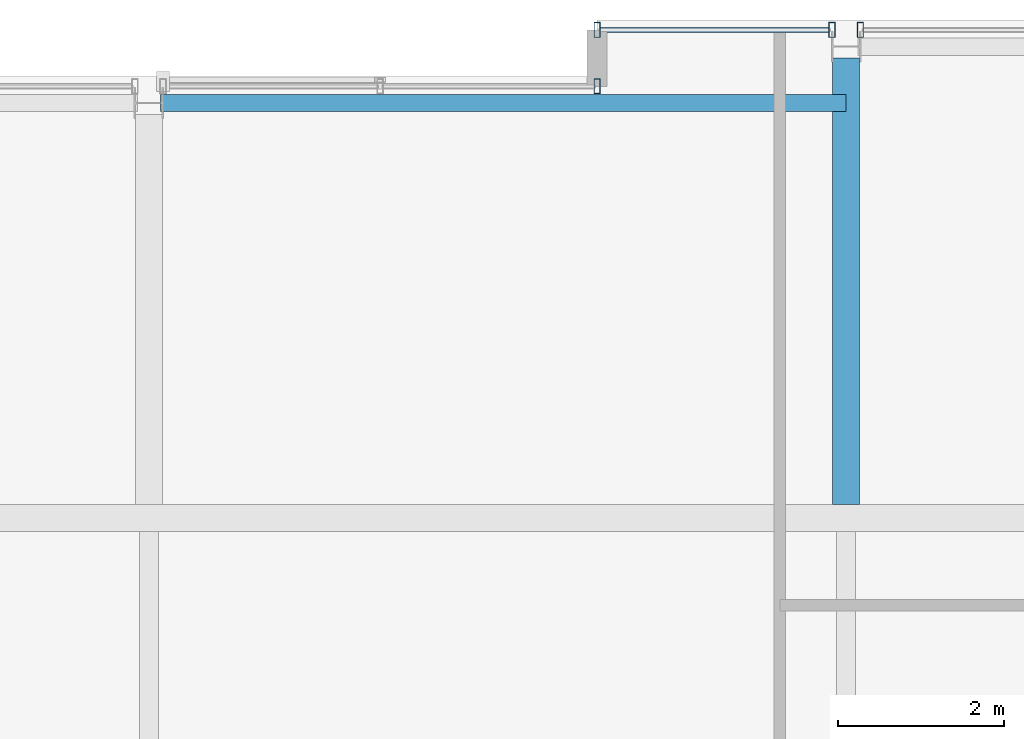
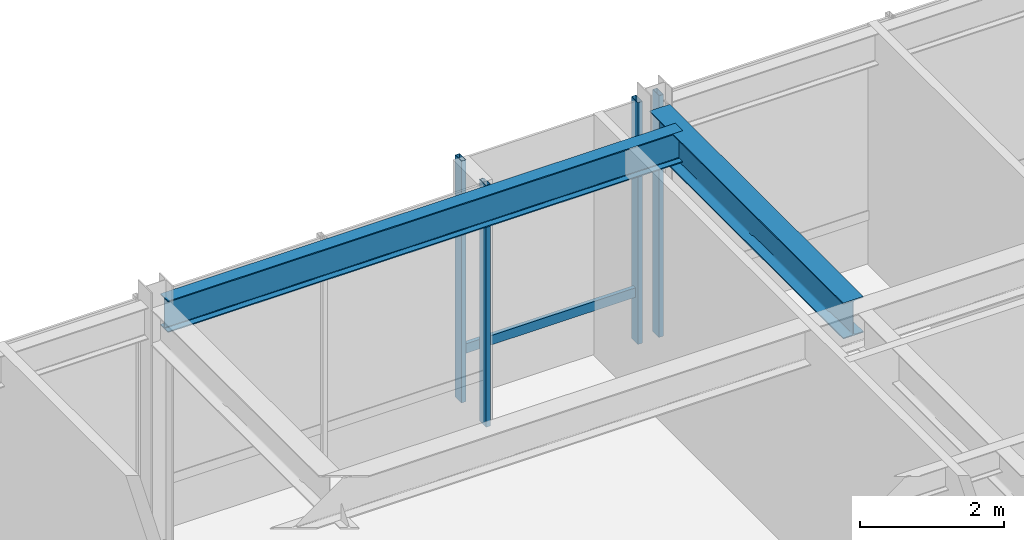
# One storey, part 25 of 34: 5 members, 2 beams, 3 elements without a shape of their own.
"""IFC4 building model written with IfcOpenShell, lengths in metres."""

from ifc_helpers import new_model, si_unit, direction, frame, origin, origin_2d, place, context, subcontext, project, spatial, hollow_rectangle, i_section, extrude, material, layer, layer_set, material_profile, profile_set, type_object, element, aggregate, save


model = new_model("IFC4")

# Units and contexts
model_context = context("Model", 3, precision=1e-05, world=origin(), true_north=direction((0.0, 1.0)))
body_context = subcontext(model_context, "Body", "Model", "MODEL_VIEW")
ifc_project = project(units=[si_unit("LENGTHUNIT", "METRE"), si_unit("AREAUNIT", "SQUARE_METRE"), si_unit("VOLUMEUNIT", "CUBIC_METRE"), si_unit("PLANEANGLEUNIT", "RADIAN"), si_unit("MASSUNIT", "GRAM", prefix="KILO")], contexts=[model_context])

# Site, building, storey
site_placement = place(None, origin())
site = spatial("IfcSite", under=ifc_project, at=site_placement, CompositionType="ELEMENT")
building_placement = place(site_placement, origin())
building = spatial("IfcBuilding", under=site, at=building_placement, Name="Drelvath Grand Hotel", CompositionType="ELEMENT")
storey_placement = place(building_placement, frame((0.0, 0.0, 294.199951171875)))
storey = spatial("IfcBuildingStorey", under=building, at=storey_placement, Name="L77", CompositionType="ELEMENT", Elevation=294.199951171875)

# Curtain wall, member
ifc_material_1 = material(Name="Platinum-Mist Anodised Aluminium Frame", Category="aluminium")
ifc_layer = layer(ifc_material_1, 0.199951171875)
ifc_layer_set = layer_set([ifc_layer], Name="Platinum-Mist Anodised Aluminium Frame")
curtain_wall_type = type_object("IfcCurtainWallType", Name="Stick Curtain Wall CW-05 Platinum Mist High-Rise", PredefinedType="NOTDEFINED", material=ifc_layer_set)
curtain_wall_1_placement = place(storey_placement, origin())
curtain_wall_1 = element("IfcCurtainWall", 1, at=curtain_wall_1_placement, inside=storey, type_object=curtain_wall_type, Name="L77 CW-05 Curtain Wall CW05-L77-NE1", PredefinedType="NOTDEFINED")
ifc_material_profile_1 = material_profile(ifc_material_1, hollow_rectangle(XDim=0.06494140625, YDim=0.159912109375, WallThickness=0.00390625, at=origin_2d()), Name="HSS160X65X4")
ifc_profile_set_1 = profile_set([ifc_material_profile_1], Name="Platinum-Mist Anodised Aluminium Frame")
member_type_1 = type_object("IfcMemberType", Name="Curtain Wall Horizontal Transom CW-05 HSS160X65X4", PredefinedType="USERDEFINED", material=ifc_profile_set_1)
member_1_placement = place(storey_placement, frame((5.43994140625, 49.080078125, 0.85009765625), z_axis=(1.0, 0.0, 0.0), x_axis=(0.0, 1.0, 0.0)))
member_1 = element("IfcMember", 2, at=member_1_placement, type_object=member_type_1, Name="CW05-L77-NE1 Sill Transom", ObjectType="TRANSOM", PredefinedType="USERDEFINED", context=body_context, shape_type="SweptSolid", body=[
    extrude(hollow_rectangle(XDim=0.06494140625, YDim=0.159912109375, WallThickness=0.00390625, at=origin_2d()), origin(), (0.0, 0.0, 1.0), 2.75),
])

curtain_wall_2_placement = place(storey_placement, origin())
curtain_wall_2 = element("IfcCurtainWall", 3, at=curtain_wall_2_placement, inside=storey, type_object=curtain_wall_type, Name="L77 CW-05 Curtain Wall CW05-L77-NM2", PredefinedType="NOTDEFINED")
ifc_material_profile_2 = material_profile(ifc_material_1, hollow_rectangle(XDim=0.074951171875, YDim=0.179931640625, WallThickness=0.0048828125, at=origin_2d()), Name="HSS180X75X5")
ifc_profile_set_2 = profile_set([ifc_material_profile_2], Name="Platinum-Mist Anodised Aluminium Frame")
member_type_2 = type_object("IfcMemberType", Name="Curtain Wall Vertical Mullion CW-05 HSS180X75X5", PredefinedType="MULLION", material=ifc_profile_set_2)
member_2_placement = place(storey_placement, frame((5.39990234375, 48.39990234375, 0.0), z_axis=(0.0, 0.0, 1.0), x_axis=(1.0, 0.0, 0.0)))
member_2 = element("IfcMember", 4, at=member_2_placement, type_object=member_type_2, Name="CW05-L77-NM2 Mullion 3", PredefinedType="MULLION", context=body_context, shape_type="SweptSolid", body=[
    extrude(hollow_rectangle(XDim=0.074951171875, YDim=0.179931640625, WallThickness=0.0048828125, at=origin_2d()), origin(), (0.0, 0.0, 1.0), 4.10009765625),
])
aggregate(curtain_wall_2, [member_2])

# Member
member_3_placement = place(storey_placement, frame((5.39990234375, 49.080078125, 0.0), z_axis=(0.0, 0.0, 1.0), x_axis=(1.0, 0.0, 0.0)))
member_3 = element("IfcMember", 5, at=member_3_placement, type_object=member_type_2, Name="CW05-L77-NE1 Mullion 1", PredefinedType="MULLION", context=body_context, shape_type="SweptSolid", body=[
    extrude(hollow_rectangle(XDim=0.074951171875, YDim=0.179931640625, WallThickness=0.0048828125, at=origin_2d()), origin(), (0.0, 0.0, 1.0), 4.10009765625),
])

member_4_placement = place(storey_placement, frame((8.22998046875, 49.080078125, 0.0), z_axis=(0.0, 0.0, 1.0), x_axis=(1.0, 0.0, 0.0)))
member_4 = element("IfcMember", 6, at=member_4_placement, type_object=member_type_2, Name="CW05-L77-NE1 Mullion 2", PredefinedType="MULLION", context=body_context, shape_type="SweptSolid", body=[
    extrude(hollow_rectangle(XDim=0.074951171875, YDim=0.179931640625, WallThickness=0.0048828125, at=origin_2d()), origin(), (0.0, 0.0, 1.0), 4.10009765625),
])

aggregate(curtain_wall_1, [member_3, member_4, member_1])

# Curtain wall, member
curtain_wall_3_placement = place(storey_placement, origin())
curtain_wall_3 = element("IfcCurtainWall", 7, at=curtain_wall_3_placement, inside=storey, type_object=curtain_wall_type, Name="L77 CW-05 Curtain Wall CW05-L77-NE2", PredefinedType="NOTDEFINED")
member_5_placement = place(storey_placement, frame((8.570068359375, 49.080078125, 0.0), z_axis=(0.0, 0.0, 1.0), x_axis=(1.0, 0.0, 0.0)))
member_5 = element("IfcMember", 8, at=member_5_placement, type_object=member_type_2, Name="CW05-L77-NE2 Mullion 1", PredefinedType="MULLION", context=body_context, shape_type="SweptSolid", body=[
    extrude(hollow_rectangle(XDim=0.074951171875, YDim=0.179931640625, WallThickness=0.0048828125, at=origin_2d()), origin(), (0.0, 0.0, 1.0), 4.10009765625),
])
aggregate(curtain_wall_3, [member_5])

# Beams
ifc_material_2 = material(Name="Steel ASTM A992 Gr 50", Category="steel")
ifc_material_profile_3 = material_profile(ifc_material_2, i_section(OverallWidth=0.210205078125, OverallDepth=0.53662109375, WebThickness=0.010986328125, FlangeThickness=0.017333984375, FilletRadius=0.01806640625, at=origin_2d()), Name="W21X68")
ifc_profile_set_3 = profile_set([ifc_material_profile_3], Name="Steel ASTM A992 Gr 50")
beam_type_1 = type_object("IfcBeamType", Name="Perimeter Spandrel Beam W21X68", PredefinedType="SPANDREL", material=ifc_profile_set_3)
beam_1_placement = place(storey_placement, frame((0.139892578125, 48.199951171875, 3.831787109375), z_axis=(1.0, 0.0, 0.0), x_axis=(0.0, 1.0, 0.0)))
element("IfcBeam", 9, at=beam_1_placement, inside=storey, type_object=beam_type_1, Name="L77 Spandrel North Mid E", PredefinedType="SPANDREL", context=body_context, shape_type="SweptSolid", body=[
    extrude(i_section(OverallWidth=0.210205078125, OverallDepth=0.53662109375, WebThickness=0.010986328125, FlangeThickness=0.017333984375, FilletRadius=0.01806640625, at=origin_2d()), origin(), (0.0, 0.0, 1.0), 8.260009765625),
])
ifc_material_profile_4 = material_profile(ifc_material_2, i_section(OverallWidth=0.323974609375, OverallDepth=0.611083984375, WebThickness=0.0126953125, FlangeThickness=0.01904296875, FilletRadius=0.02197265625, at=origin_2d()), Name="W24X104")
ifc_profile_set_4 = profile_set([ifc_material_profile_4], Name="Steel ASTM A992 Gr 50")
beam_type_2 = type_object("IfcBeamType", Name="Primary Floor Girder W24X104", PredefinedType="BEAM", material=ifc_profile_set_4)
beam_2_placement = place(storey_placement, frame((8.39990234375, 43.362060546875, 3.79443359375), z_axis=(0.0, 1.0, 0.0), x_axis=(-1.0, 0.0, 0.0)))
element("IfcBeam", 10, at=beam_2_placement, inside=storey, type_object=beam_type_2, Name="L77 North Wing Girder 6", PredefinedType="BEAM", context=body_context, shape_type="SweptSolid", body=[
    extrude(i_section(OverallWidth=0.323974609375, OverallDepth=0.611083984375, WebThickness=0.0126953125, FlangeThickness=0.01904296875, FilletRadius=0.02197265625, at=origin_2d()), origin(), (0.0, 0.0, 1.0), 5.3779296875),
])

save(model, "model.ifc")
